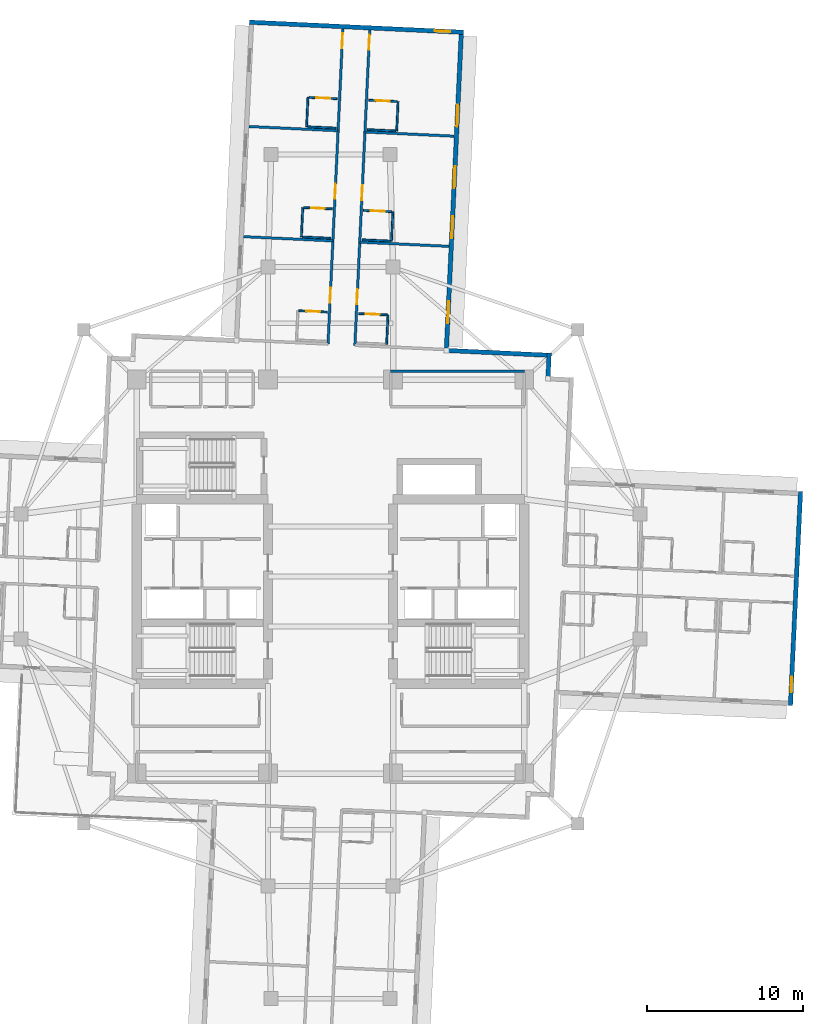
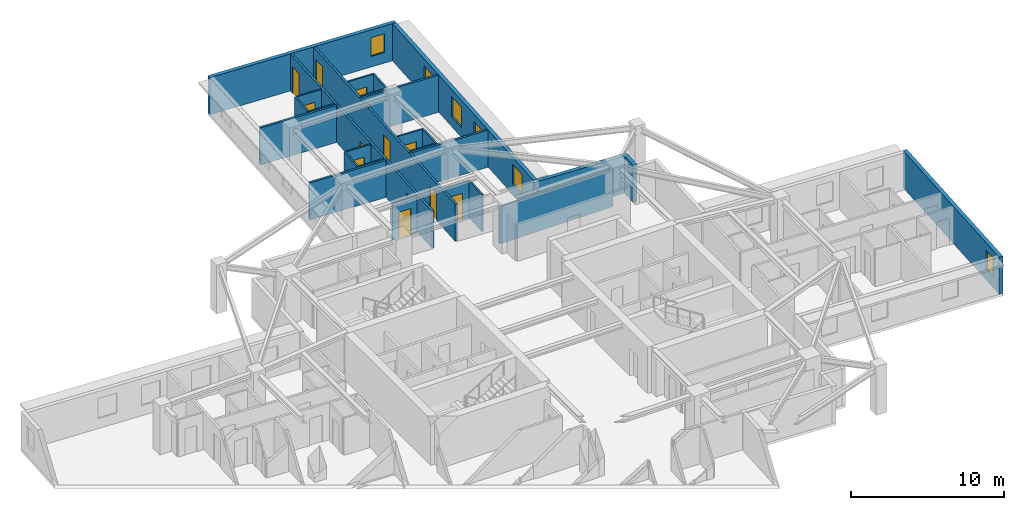
# One storey, part 8 of 14: 27 walls, 12 doors, 6 windows, 18 openings.
"""IFC4 building model written with IfcOpenShell, lengths in metres."""

from ifc_helpers import new_model, si_unit, direction, frame, frame_2d, origin, place, context, subcontext, project, spatial, rectangle, extrude, material, layer, layer_set, type_object, element, fill, save


model = new_model("IFC4")

# Units and contexts
model_context = context("Model", 3, precision=1e-05, world=origin(), true_north=direction((0.0, 1.0)))
body_context = subcontext(model_context, "Body", "Model", "MODEL_VIEW")
ifc_project = project(units=[si_unit("LENGTHUNIT", "METRE"), si_unit("AREAUNIT", "SQUARE_METRE"), si_unit("VOLUMEUNIT", "CUBIC_METRE"), si_unit("PLANEANGLEUNIT", "RADIAN"), si_unit("MASSUNIT", "GRAM", prefix="KILO")], contexts=[model_context])

# Site, building, storey
site_placement = place(None, origin())
site = spatial("IfcSite", under=ifc_project, at=site_placement, CompositionType="ELEMENT")
building_placement = place(site_placement, origin())
building = spatial("IfcBuilding", under=site, at=building_placement, Name="Qingluan Cross Belvedere", CompositionType="ELEMENT")
storey_placement = place(building_placement, frame((0.0, 0.0, 156.60009765625)))
storey = spatial("IfcBuildingStorey", under=building, at=storey_placement, Name="L39", CompositionType="ELEMENT", Elevation=156.60009765625)

# Wall
ifc_material_1 = material(Name="Gypsum plasterboard on steel stud acoustic partition", Category="steel")
ifc_layer_1 = layer(ifc_material_1, 0.159912109375, Name="CorridorPartition_160")
ifc_layer_set_1 = layer_set([ifc_layer_1], Name="Gypsum plasterboard on steel stud acoustic partition")
wall_type_1 = type_object("IfcWallType", Name="CorridorPartition_160", PredefinedType="PARTITIONING", material=ifc_layer_set_1)
wall_1_placement = place(storey_placement, frame((3.85009765625, 13.14990234375, 0.0), z_axis=(0.0, 0.0, 1.0), x_axis=(1.0, 0.0, 0.0)))
element("IfcWall", 1, at=wall_1_placement, inside=storey, type_object=wall_type_1, Name="Partition L39:q_ne:N", PredefinedType="PARTITIONING", context=body_context, shape_type="SweptSolid", body=[
    extrude(rectangle(XDim=8.5498046875, YDim=0.159912109375, at=frame_2d((4.27490234375, 0.0))), origin(), (0.0, 0.0, 1.0), 2.9599609375),
])

# Wall, openings, doors
wall_2_placement = place(storey_placement, frame((1.55859375, 14.79296875, 0.0), z_axis=(0.0, 0.0, 1.0), x_axis=(0.047105352469, 0.998889926753, 0.0)))
wall_2 = element("IfcWall", 2, at=wall_2_placement, inside=storey, type_object=wall_type_1, Name="Partition L39:N:c0", PredefinedType="PARTITIONING", context=body_context, shape_type="SweptSolid", body=[
    extrude(rectangle(XDim=20.18212890625, YDim=0.159912109375, at=frame_2d((10.091064453125, 0.0))), origin(), (0.0, 0.0, 1.0), 2.9599609375),
])
opening_1_placement = place(wall_2_placement, frame((2.64111328125, 0.0, 0.0)))
opening_1 = element("IfcOpeningElement", 3, at=opening_1_placement, cuts=wall_2, Name="Opening GD-10", PredefinedType="OPENING", context=body_context, shape_type="SweptSolid", body=[
    extrude(rectangle(XDim=0.9599609375, YDim=2.14990234375, at=frame_2d((0.47998046875, 1.074951171875))), frame((0.0, 0.08984375, 0.0), z_axis=(0.0, -1.0, 0.0), x_axis=(1.0, 0.0, 0.0)), (0.0, 0.0, 1.0), 0.179931640625),
])
opening_2_placement = place(wall_2_placement, frame((9.29296875, 0.0, 0.0)))
opening_2 = element("IfcOpeningElement", 4, at=opening_2_placement, cuts=wall_2, Name="Opening GD-10", PredefinedType="OPENING", context=body_context, shape_type="SweptSolid", body=[
    extrude(rectangle(XDim=0.9599609375, YDim=2.14990234375, at=frame_2d((0.47998046875, 1.074951171875))), frame((0.0, 0.08984375, 0.0), z_axis=(0.0, -1.0, 0.0), x_axis=(1.0, 0.0, 0.0)), (0.0, 0.0, 1.0), 0.179931640625),
])
opening_3_placement = place(wall_2_placement, frame((18.929931640625, 0.0, 0.0)))
opening_3 = element("IfcOpeningElement", 5, at=opening_3_placement, cuts=wall_2, Name="Opening GD-10", PredefinedType="OPENING", context=body_context, shape_type="SweptSolid", body=[
    extrude(rectangle(XDim=0.9599609375, YDim=2.14990234375, at=frame_2d((0.47998046875, 1.074951171875))), frame((0.0, 0.08984375, 0.0), z_axis=(0.0, -1.0, 0.0), x_axis=(1.0, 0.0, 0.0)), (0.0, 0.0, 1.0), 0.179931640625),
])
ifc_material_2 = material(Name="Timber oak fire-rated acoustic guestroom door", Category="wood")
door_type_1 = type_object("IfcDoorType", Name="GuestEntryDoor_FD60", OperationType="NOTDEFINED", PredefinedType="DOOR", material=ifc_material_2)
door_1_placement = place(opening_1_placement, origin())
door_1 = element("IfcDoor", 6, at=door_1_placement, inside=storey, type_object=door_type_1, Name="Guest entry fire door 3911", OperationType="SINGLE_SWING_RIGHT", OverallHeight=2.14990234375, OverallWidth=0.9599609375, PredefinedType="DOOR", context=body_context, shape_type="SweptSolid", body=[
    extrude(rectangle(XDim=0.9599609375, YDim=2.14990234375, at=frame_2d((0.47998046875, 1.074951171875))), frame((0.0, 0.02490234375, 0.0), z_axis=(0.0, -1.0, 0.0), x_axis=(1.0, 0.0, 0.0)), (0.0, 0.0, 1.0), 0.050048828125),
])
fill(opening_1, door_1)
door_2_placement = place(opening_2_placement, origin())
door_2 = element("IfcDoor", 7, at=door_2_placement, inside=storey, type_object=door_type_1, Name="Guest entry fire door 3912", OperationType="SINGLE_SWING_RIGHT", OverallHeight=2.14990234375, OverallWidth=0.9599609375, PredefinedType="DOOR", context=body_context, shape_type="SweptSolid", body=[
    extrude(rectangle(XDim=0.9599609375, YDim=2.14990234375, at=frame_2d((0.47998046875, 1.074951171875))), frame((0.0, 0.02490234375, 0.0), z_axis=(0.0, -1.0, 0.0), x_axis=(1.0, 0.0, 0.0)), (0.0, 0.0, 1.0), 0.050048828125),
])
fill(opening_2, door_2)
door_3_placement = place(opening_3_placement, origin())
door_3 = element("IfcDoor", 8, at=door_3_placement, inside=storey, type_object=door_type_1, Name="Guest entry fire door 3913", OperationType="SINGLE_SWING_RIGHT", OverallHeight=2.14990234375, OverallWidth=0.9599609375, PredefinedType="DOOR", context=body_context, shape_type="SweptSolid", body=[
    extrude(rectangle(XDim=0.9599609375, YDim=2.14990234375, at=frame_2d((0.47998046875, 1.074951171875))), frame((0.0, 0.02490234375, 0.0), z_axis=(0.0, -1.0, 0.0), x_axis=(1.0, 0.0, 0.0)), (0.0, 0.0, 1.0), 0.050048828125),
])
fill(opening_3, door_3)

# Walls
for number, where, z_axis, x_axis, name in (
    (9, (1.869873046875, 21.392578125, 0.0), (0.0, 0.0, 1.0), (0.998890078534, -0.047102133785, 0.0), "Partition L39:N:d0_0"),
    (10, (2.2021484375, 28.439697265625, 0.0), (0.0, 0.0, 1.0), (0.998892088651, -0.047059486076, 0.0), "Partition L39:N:d0_1"),
):
    element("IfcWall", number, at=place(storey_placement, frame(where, z_axis=z_axis, x_axis=x_axis)), inside=storey, type_object=wall_type_1, Name=name, PredefinedType="PARTITIONING", context=body_context, shape_type="SweptSolid", body=[
        extrude(rectangle(XDim=5.7119140625, YDim=0.159912109375, at=frame_2d((2.85595703125, 0.0))), origin(), (0.0, 0.0, 1.0), 2.9599609375),
    ])

# Wall, openings, doors
wall_3_placement = place(storey_placement, frame((-0.159423828125, 14.8740234375, 0.0), z_axis=(0.0, 0.0, 1.0), x_axis=(0.047105352469, 0.998889926753, 0.0)))
wall_3 = element("IfcWall", 11, at=wall_3_placement, inside=storey, type_object=wall_type_1, Name="Partition L39:N:c1", PredefinedType="PARTITIONING", context=body_context, shape_type="SweptSolid", body=[
    extrude(rectangle(XDim=20.18212890625, YDim=0.159912109375, at=frame_2d((10.091064453125, 0.0))), origin(), (0.0, 0.0, 1.0), 2.9599609375),
])
opening_4_placement = place(wall_3_placement, frame((2.64111328125, 0.0, 0.0)))
opening_4 = element("IfcOpeningElement", 12, at=opening_4_placement, cuts=wall_3, Name="Opening GD-10", PredefinedType="OPENING", context=body_context, shape_type="SweptSolid", body=[
    extrude(rectangle(XDim=0.9599609375, YDim=2.14990234375, at=frame_2d((0.47998046875, 1.074951171875))), frame((0.0, 0.08984375, 0.0), z_axis=(0.0, -1.0, 0.0), x_axis=(1.0, 0.0, 0.0)), (0.0, 0.0, 1.0), 0.179931640625),
])
opening_5_placement = place(wall_3_placement, frame((9.29296875, 0.0, 0.0)))
opening_5 = element("IfcOpeningElement", 13, at=opening_5_placement, cuts=wall_3, Name="Opening GD-10", PredefinedType="OPENING", context=body_context, shape_type="SweptSolid", body=[
    extrude(rectangle(XDim=0.9599609375, YDim=2.14990234375, at=frame_2d((0.47998046875, 1.074951171875))), frame((0.0, 0.08984375, 0.0), z_axis=(0.0, -1.0, 0.0), x_axis=(1.0, 0.0, 0.0)), (0.0, 0.0, 1.0), 0.179931640625),
])
opening_6_placement = place(wall_3_placement, frame((18.929931640625, 0.0, 0.0)))
opening_6 = element("IfcOpeningElement", 14, at=opening_6_placement, cuts=wall_3, Name="Opening GD-10", PredefinedType="OPENING", context=body_context, shape_type="SweptSolid", body=[
    extrude(rectangle(XDim=0.9599609375, YDim=2.14990234375, at=frame_2d((0.47998046875, 1.074951171875))), frame((0.0, 0.08984375, 0.0), z_axis=(0.0, -1.0, 0.0), x_axis=(1.0, 0.0, 0.0)), (0.0, 0.0, 1.0), 0.179931640625),
])
door_4_placement = place(opening_4_placement, origin())
door_4 = element("IfcDoor", 15, at=door_4_placement, inside=storey, type_object=door_type_1, Name="Guest entry fire door 3914", OperationType="SINGLE_SWING_RIGHT", OverallHeight=2.14990234375, OverallWidth=0.9599609375, PredefinedType="DOOR", context=body_context, shape_type="SweptSolid", body=[
    extrude(rectangle(XDim=0.9599609375, YDim=2.14990234375, at=frame_2d((0.47998046875, 1.074951171875))), frame((0.0, 0.02490234375, 0.0), z_axis=(0.0, -1.0, 0.0), x_axis=(1.0, 0.0, 0.0)), (0.0, 0.0, 1.0), 0.050048828125),
])
fill(opening_4, door_4)
door_5_placement = place(opening_5_placement, origin())
door_5 = element("IfcDoor", 16, at=door_5_placement, inside=storey, type_object=door_type_1, Name="Guest entry fire door 3915", OperationType="SINGLE_SWING_RIGHT", OverallHeight=2.14990234375, OverallWidth=0.9599609375, PredefinedType="DOOR", context=body_context, shape_type="SweptSolid", body=[
    extrude(rectangle(XDim=0.9599609375, YDim=2.14990234375, at=frame_2d((0.47998046875, 1.074951171875))), frame((0.0, 0.02490234375, 0.0), z_axis=(0.0, -1.0, 0.0), x_axis=(1.0, 0.0, 0.0)), (0.0, 0.0, 1.0), 0.050048828125),
])
fill(opening_5, door_5)
door_6_placement = place(opening_6_placement, origin())
door_6 = element("IfcDoor", 17, at=door_6_placement, inside=storey, type_object=door_type_1, Name="Guest entry fire door 3916", OperationType="SINGLE_SWING_RIGHT", OverallHeight=2.14990234375, OverallWidth=0.9599609375, PredefinedType="DOOR", context=body_context, shape_type="SweptSolid", body=[
    extrude(rectangle(XDim=0.9599609375, YDim=2.14990234375, at=frame_2d((0.47998046875, 1.074951171875))), frame((0.0, 0.02490234375, 0.0), z_axis=(0.0, -1.0, 0.0), x_axis=(1.0, 0.0, 0.0)), (0.0, 0.0, 1.0), 0.050048828125),
])
fill(opening_6, door_6)

# Walls
wall_4_placement = place(storey_placement, frame((0.151611328125, 21.4736328125, 0.0), z_axis=(0.0, 0.0, 1.0), x_axis=(-0.998890078534, 0.047102133785, 0.0)))
element("IfcWall", 18, at=wall_4_placement, inside=storey, type_object=wall_type_1, Name="Partition L39:N:d1_0", PredefinedType="PARTITIONING", context=body_context, shape_type="SweptSolid", body=[
    extrude(rectangle(XDim=5.7119140625, YDim=0.159912109375, at=frame_2d((2.85595703125, 0.0))), origin(), (0.0, 0.0, 1.0), 2.9599609375),
])
wall_5_placement = place(storey_placement, frame((0.484130859375, 28.52099609375, 0.0), z_axis=(0.0, 0.0, 1.0), x_axis=(-0.998892183303, 0.047057476951, 0.0)))
element("IfcWall", 19, at=wall_5_placement, inside=storey, type_object=wall_type_1, Name="Partition L39:N:d1_1", PredefinedType="PARTITIONING", context=body_context, shape_type="SweptSolid", body=[
    extrude(rectangle(XDim=5.712158203125, YDim=0.159912109375, at=frame_2d((2.85595703125, 0.0))), origin(), (0.0, 0.0, 1.0), 2.9599609375),
])

# Wall, opening, door
ifc_material_3 = material(Name="Moisture-resistant gypsum board lining")
ifc_layer_2 = layer(ifc_material_3, 0.1201171875, Name="EnsuiteWetPartition_120")
ifc_layer_set_2 = layer_set([ifc_layer_2], Name="Moisture-resistant gypsum board lining")
wall_type_2 = type_object("IfcWallType", Name="EnsuiteWetPartition_120", PredefinedType="PARTITIONING", material=ifc_layer_set_2)
wall_6_placement = place(storey_placement, frame((1.79443359375, 16.82421875, 0.0), z_axis=(0.0, 0.0, 1.0), x_axis=(0.998884766924, -0.047214641863, 0.0)))
wall_6 = element("IfcWall", 20, at=wall_6_placement, inside=storey, type_object=wall_type_2, Name="Partition L39:N:bs0_0", PredefinedType="PARTITIONING", context=body_context, shape_type="SweptSolid", body=[
    extrude(rectangle(XDim=1.820068359375, YDim=0.1201171875, at=frame_2d((0.91015625, 0.0))), origin(), (0.0, 0.0, 1.0), 2.9599609375),
])
opening_7_placement = place(wall_6_placement, frame((0.469970703125, 0.0, 0.0)))
opening_7 = element("IfcOpeningElement", 21, at=opening_7_placement, cuts=wall_6, Name="Opening BD-09", PredefinedType="OPENING", context=body_context, shape_type="SweptSolid", body=[
    extrude(rectangle(XDim=0.8798828125, YDim=2.10009765625, at=frame_2d((0.43994140625, 1.050048828125))), frame((0.0, 0.070068359375, 0.0), z_axis=(0.0, -1.0, 0.0), x_axis=(1.0, 0.0, 0.0)), (0.0, 0.0, 1.0), 0.14013671875),
])
ifc_material_4 = material(Name="Moisture-sealed timber en-suite door", Category="wood")
door_type_2 = type_object("IfcDoorType", Name="BathroomDoor_880", OperationType="NOTDEFINED", PredefinedType="DOOR", material=ifc_material_4)
door_7_placement = place(opening_7_placement, origin())
door_7 = element("IfcDoor", 22, at=door_7_placement, inside=storey, type_object=door_type_2, Name="Bathroom door 3911", OperationType="SINGLE_SWING_LEFT", OverallHeight=2.10009765625, OverallWidth=0.8798828125, PredefinedType="DOOR", context=body_context, shape_type="SweptSolid", body=[
    extrude(rectangle(XDim=0.8798828125, YDim=2.10009765625, at=frame_2d((0.43994140625, 1.050048828125))), frame((0.0, 0.02490234375, 0.0), z_axis=(0.0, -1.0, 0.0), x_axis=(1.0, 0.0, 0.0)), (0.0, 0.0, 1.0), 0.050048828125),
])
fill(opening_7, door_7)

# Wall
wall_7_placement = place(storey_placement, frame((3.5888671875, 14.857421875, 0.0), z_axis=(0.0, 0.0, 1.0), x_axis=(0.047139425368, 0.998888319371, 0.0)))
element("IfcWall", 23, at=wall_7_placement, inside=storey, type_object=wall_type_2, Name="Partition L39:N:bn0_0", PredefinedType="PARTITIONING", context=body_context, shape_type="SweptSolid", body=[
    extrude(rectangle(XDim=1.880126953125, YDim=0.1201171875, at=frame_2d((0.93994140625, 0.0))), origin(), (0.0, 0.0, 1.0), 2.9599609375),
])

# Wall, opening, door
wall_8_placement = place(storey_placement, frame((2.105712890625, 23.423828125, 0.0), z_axis=(0.0, 0.0, 1.0), x_axis=(0.998890786574, -0.047087116047, 0.0)))
wall_8 = element("IfcWall", 24, at=wall_8_placement, inside=storey, type_object=wall_type_2, Name="Partition L39:N:bs0_1", PredefinedType="PARTITIONING", context=body_context, shape_type="SweptSolid", body=[
    extrude(rectangle(XDim=1.81982421875, YDim=0.1201171875, at=frame_2d((0.909912109375, 0.0))), origin(), (0.0, 0.0, 1.0), 2.9599609375),
])
opening_8_placement = place(wall_8_placement, frame((0.469970703125, 0.0, 0.0)))
opening_8 = element("IfcOpeningElement", 25, at=opening_8_placement, cuts=wall_8, Name="Opening BD-09", PredefinedType="OPENING", context=body_context, shape_type="SweptSolid", body=[
    extrude(rectangle(XDim=0.8798828125, YDim=2.10009765625, at=frame_2d((0.43994140625, 1.050048828125))), frame((0.0, 0.070068359375, 0.0), z_axis=(0.0, -1.0, 0.0), x_axis=(1.0, 0.0, 0.0)), (0.0, 0.0, 1.0), 0.14013671875),
])
door_8_placement = place(opening_8_placement, origin())
door_8 = element("IfcDoor", 26, at=door_8_placement, inside=storey, type_object=door_type_2, Name="Bathroom door 3912", OperationType="SINGLE_SWING_LEFT", OverallHeight=2.10009765625, OverallWidth=0.8798828125, PredefinedType="DOOR", context=body_context, shape_type="SweptSolid", body=[
    extrude(rectangle(XDim=0.8798828125, YDim=2.10009765625, at=frame_2d((0.43994140625, 1.050048828125))), frame((0.0, 0.02490234375, 0.0), z_axis=(0.0, -1.0, 0.0), x_axis=(1.0, 0.0, 0.0)), (0.0, 0.0, 1.0), 0.050048828125),
])
fill(opening_8, door_8)

# Walls
wall_9_placement = place(storey_placement, frame((2.01708984375, 21.5458984375, 0.0), z_axis=(0.0, 0.0, 1.0), x_axis=(0.998891083954, -0.047080807099, 0.0)))
element("IfcWall", 27, at=wall_9_placement, inside=storey, type_object=wall_type_2, Name="Partition L39:N:bw0_1", PredefinedType="PARTITIONING", context=body_context, shape_type="SweptSolid", body=[
    extrude(rectangle(XDim=1.820068359375, YDim=0.1201171875, at=frame_2d((0.91015625, 0.0))), origin(), (0.0, 0.0, 1.0), 2.9599609375),
])
wall_10_placement = place(storey_placement, frame((3.900146484375, 21.45703125, 0.0), z_axis=(0.0, 0.0, 1.0), x_axis=(0.047139425368, 0.998888319371, 0.0)))
element("IfcWall", 28, at=wall_10_placement, inside=storey, type_object=wall_type_2, Name="Partition L39:N:bn0_1", PredefinedType="PARTITIONING", context=body_context, shape_type="SweptSolid", body=[
    extrude(rectangle(XDim=1.880126953125, YDim=0.1201171875, at=frame_2d((0.93994140625, 0.0))), origin(), (0.0, 0.0, 1.0), 2.9599609375),
])

# Wall, opening, door
wall_11_placement = place(storey_placement, frame((2.43798828125, 30.470947265625, 0.0), z_axis=(0.0, 0.0, 1.0), x_axis=(0.998891083954, -0.047080807099, 0.0)))
wall_11 = element("IfcWall", 29, at=wall_11_placement, inside=storey, type_object=wall_type_2, Name="Partition L39:N:bs0_2", PredefinedType="PARTITIONING", context=body_context, shape_type="SweptSolid", body=[
    extrude(rectangle(XDim=1.820068359375, YDim=0.1201171875, at=frame_2d((0.91015625, 0.0))), origin(), (0.0, 0.0, 1.0), 2.9599609375),
])
opening_9_placement = place(wall_11_placement, frame((0.469970703125, 0.0, 0.0)))
opening_9 = element("IfcOpeningElement", 30, at=opening_9_placement, cuts=wall_11, Name="Opening BD-09", PredefinedType="OPENING", context=body_context, shape_type="SweptSolid", body=[
    extrude(rectangle(XDim=0.8798828125, YDim=2.10009765625, at=frame_2d((0.43994140625, 1.050048828125))), frame((0.0, 0.070068359375, 0.0), z_axis=(0.0, -1.0, 0.0), x_axis=(1.0, 0.0, 0.0)), (0.0, 0.0, 1.0), 0.14013671875),
])
door_9_placement = place(opening_9_placement, origin())
door_9 = element("IfcDoor", 31, at=door_9_placement, inside=storey, type_object=door_type_2, Name="Bathroom door 3913", OperationType="SINGLE_SWING_LEFT", OverallHeight=2.10009765625, OverallWidth=0.8798828125, PredefinedType="DOOR", context=body_context, shape_type="SweptSolid", body=[
    extrude(rectangle(XDim=0.8798828125, YDim=2.10009765625, at=frame_2d((0.43994140625, 1.050048828125))), frame((0.0, 0.02490234375, 0.0), z_axis=(0.0, -1.0, 0.0), x_axis=(1.0, 0.0, 0.0)), (0.0, 0.0, 1.0), 0.050048828125),
])
fill(opening_9, door_9)

# Walls
wall_12_placement = place(storey_placement, frame((2.349609375, 28.593017578125, 0.0), z_axis=(0.0, 0.0, 1.0), x_axis=(0.998890786574, -0.047087116047, 0.0)))
element("IfcWall", 32, at=wall_12_placement, inside=storey, type_object=wall_type_2, Name="Partition L39:N:bw0_2", PredefinedType="PARTITIONING", context=body_context, shape_type="SweptSolid", body=[
    extrude(rectangle(XDim=1.81982421875, YDim=0.1201171875, at=frame_2d((0.909912109375, 0.0))), origin(), (0.0, 0.0, 1.0), 2.9599609375),
])
wall_13_placement = place(storey_placement, frame((4.232421875, 28.50439453125, 0.0), z_axis=(0.0, 0.0, 1.0), x_axis=(0.047145540913, 0.998888030748, 0.0)))
element("IfcWall", 33, at=wall_13_placement, inside=storey, type_object=wall_type_2, Name="Partition L39:N:bn0_2", PredefinedType="PARTITIONING", context=body_context, shape_type="SweptSolid", body=[
    extrude(rectangle(XDim=1.8798828125, YDim=0.1201171875, at=frame_2d((0.93994140625, 0.0))), origin(), (0.0, 0.0, 1.0), 2.9599609375),
])

# Wall, opening, door
wall_14_placement = place(storey_placement, frame((-2.021240234375, 17.004150390625, 0.0), z_axis=(0.0, 0.0, 1.0), x_axis=(0.998890786574, -0.047087116047, 0.0)))
wall_14 = element("IfcWall", 34, at=wall_14_placement, inside=storey, type_object=wall_type_2, Name="Partition L39:N:bs1_0", PredefinedType="PARTITIONING", context=body_context, shape_type="SweptSolid", body=[
    extrude(rectangle(XDim=1.81982421875, YDim=0.1201171875, at=frame_2d((0.909912109375, 0.0))), origin(), (0.0, 0.0, 1.0), 2.9599609375),
])
opening_10_placement = place(wall_14_placement, frame((0.469970703125, 0.0, 0.0)))
opening_10 = element("IfcOpeningElement", 35, at=opening_10_placement, cuts=wall_14, Name="Opening BD-09", PredefinedType="OPENING", context=body_context, shape_type="SweptSolid", body=[
    extrude(rectangle(XDim=0.8798828125, YDim=2.10009765625, at=frame_2d((0.43994140625, 1.050048828125))), frame((0.0, 0.070068359375, 0.0), z_axis=(0.0, -1.0, 0.0), x_axis=(1.0, 0.0, 0.0)), (0.0, 0.0, 1.0), 0.14013671875),
])
door_10_placement = place(opening_10_placement, origin())
door_10 = element("IfcDoor", 36, at=door_10_placement, inside=storey, type_object=door_type_2, Name="Bathroom door 3914", OperationType="SINGLE_SWING_LEFT", OverallHeight=2.10009765625, OverallWidth=0.8798828125, PredefinedType="DOOR", context=body_context, shape_type="SweptSolid", body=[
    extrude(rectangle(XDim=0.8798828125, YDim=2.10009765625, at=frame_2d((0.43994140625, 1.050048828125))), frame((0.0, 0.02490234375, 0.0), z_axis=(0.0, -1.0, 0.0), x_axis=(1.0, 0.0, 0.0)), (0.0, 0.0, 1.0), 0.050048828125),
])
fill(opening_10, door_10)

wall_15_placement = place(storey_placement, frame((-1.7099609375, 23.603759765625, 0.0), z_axis=(0.0, 0.0, 1.0), x_axis=(0.998890786574, -0.047087116047, 0.0)))
wall_15 = element("IfcWall", 37, at=wall_15_placement, inside=storey, type_object=wall_type_2, Name="Partition L39:N:bs1_1", PredefinedType="PARTITIONING", context=body_context, shape_type="SweptSolid", body=[
    extrude(rectangle(XDim=1.81982421875, YDim=0.1201171875, at=frame_2d((0.909912109375, 0.0))), origin(), (0.0, 0.0, 1.0), 2.9599609375),
])
opening_11_placement = place(wall_15_placement, frame((0.469970703125, 0.0, 0.0)))
opening_11 = element("IfcOpeningElement", 38, at=opening_11_placement, cuts=wall_15, Name="Opening BD-09", PredefinedType="OPENING", context=body_context, shape_type="SweptSolid", body=[
    extrude(rectangle(XDim=0.8798828125, YDim=2.10009765625, at=frame_2d((0.43994140625, 1.050048828125))), frame((0.0, 0.070068359375, 0.0), z_axis=(0.0, -1.0, 0.0), x_axis=(1.0, 0.0, 0.0)), (0.0, 0.0, 1.0), 0.14013671875),
])
door_11_placement = place(opening_11_placement, origin())
door_11 = element("IfcDoor", 39, at=door_11_placement, inside=storey, type_object=door_type_2, Name="Bathroom door 3915", OperationType="SINGLE_SWING_LEFT", OverallHeight=2.10009765625, OverallWidth=0.8798828125, PredefinedType="DOOR", context=body_context, shape_type="SweptSolid", body=[
    extrude(rectangle(XDim=0.8798828125, YDim=2.10009765625, at=frame_2d((0.43994140625, 1.050048828125))), frame((0.0, 0.02490234375, 0.0), z_axis=(0.0, -1.0, 0.0), x_axis=(1.0, 0.0, 0.0)), (0.0, 0.0, 1.0), 0.050048828125),
])
fill(opening_11, door_11)

# Walls
wall_16_placement = place(storey_placement, frame((-1.798583984375, 21.725830078125, 0.0), z_axis=(0.0, 0.0, 1.0), x_axis=(0.998890786574, -0.047087116047, 0.0)))
element("IfcWall", 40, at=wall_16_placement, inside=storey, type_object=wall_type_2, Name="Partition L39:N:bw1_1", PredefinedType="PARTITIONING", context=body_context, shape_type="SweptSolid", body=[
    extrude(rectangle(XDim=1.81982421875, YDim=0.1201171875, at=frame_2d((0.909912109375, 0.0))), origin(), (0.0, 0.0, 1.0), 2.9599609375),
])
wall_17_placement = place(storey_placement, frame((-1.863525390625, 21.72900390625, 0.0), z_axis=(0.0, 0.0, 1.0), x_axis=(0.047145540913, 0.998888030748, 0.0)))
element("IfcWall", 41, at=wall_17_placement, inside=storey, type_object=wall_type_2, Name="Partition L39:N:bc1_1", PredefinedType="PARTITIONING", context=body_context, shape_type="SweptSolid", body=[
    extrude(rectangle(XDim=1.8798828125, YDim=0.1201171875, at=frame_2d((0.93994140625, 0.0))), origin(), (0.0, 0.0, 1.0), 2.9599609375),
])

# Wall, opening, door
wall_18_placement = place(storey_placement, frame((-1.377685546875, 30.65087890625, 0.0), z_axis=(0.0, 0.0, 1.0), x_axis=(0.998890786574, -0.047087116047, 0.0)))
wall_18 = element("IfcWall", 42, at=wall_18_placement, inside=storey, type_object=wall_type_2, Name="Partition L39:N:bs1_2", PredefinedType="PARTITIONING", context=body_context, shape_type="SweptSolid", body=[
    extrude(rectangle(XDim=1.81982421875, YDim=0.1201171875, at=frame_2d((0.909912109375, 0.0))), origin(), (0.0, 0.0, 1.0), 2.9599609375),
])
opening_12_placement = place(wall_18_placement, frame((0.469970703125, 0.0, 0.0)))
opening_12 = element("IfcOpeningElement", 43, at=opening_12_placement, cuts=wall_18, Name="Opening BD-09", PredefinedType="OPENING", context=body_context, shape_type="SweptSolid", body=[
    extrude(rectangle(XDim=0.8798828125, YDim=2.10009765625, at=frame_2d((0.43994140625, 1.050048828125))), frame((0.0, 0.070068359375, 0.0), z_axis=(0.0, -1.0, 0.0), x_axis=(1.0, 0.0, 0.0)), (0.0, 0.0, 1.0), 0.14013671875),
])
door_12_placement = place(opening_12_placement, origin())
door_12 = element("IfcDoor", 44, at=door_12_placement, inside=storey, type_object=door_type_2, Name="Bathroom door 3916", OperationType="SINGLE_SWING_LEFT", OverallHeight=2.10009765625, OverallWidth=0.8798828125, PredefinedType="DOOR", context=body_context, shape_type="SweptSolid", body=[
    extrude(rectangle(XDim=0.8798828125, YDim=2.10009765625, at=frame_2d((0.43994140625, 1.050048828125))), frame((0.0, 0.02490234375, 0.0), z_axis=(0.0, -1.0, 0.0), x_axis=(1.0, 0.0, 0.0)), (0.0, 0.0, 1.0), 0.050048828125),
])
fill(opening_12, door_12)

# Walls
wall_19_placement = place(storey_placement, frame((-1.46630859375, 28.77294921875, 0.0), z_axis=(0.0, 0.0, 1.0), x_axis=(0.998891083954, -0.047080807099, 0.0)))
element("IfcWall", 45, at=wall_19_placement, inside=storey, type_object=wall_type_2, Name="Partition L39:N:bw1_2", PredefinedType="PARTITIONING", context=body_context, shape_type="SweptSolid", body=[
    extrude(rectangle(XDim=1.820068359375, YDim=0.1201171875, at=frame_2d((0.91015625, 0.0))), origin(), (0.0, 0.0, 1.0), 2.9599609375),
])
wall_20_placement = place(storey_placement, frame((-1.53125, 28.776123046875, 0.0), z_axis=(0.0, 0.0, 1.0), x_axis=(0.047139425368, 0.998888319371, 0.0)))
element("IfcWall", 46, at=wall_20_placement, inside=storey, type_object=wall_type_2, Name="Partition L39:N:bc1_2", PredefinedType="PARTITIONING", context=body_context, shape_type="SweptSolid", body=[
    extrude(rectangle(XDim=1.880126953125, YDim=0.1201171875, at=frame_2d((0.93994140625, 0.0))), origin(), (0.0, 0.0, 1.0), 2.9599609375),
])

# Wall, opening, window
ifc_material_5 = material(Name="Precast concrete C45", Category="concrete")
ifc_layer_3 = layer(ifc_material_5, 0.280029296875, Name="PrecastFacadeWall_280")
ifc_layer_set_3 = layer_set([ifc_layer_3], Name="Precast concrete C45")
wall_type_3 = type_object("IfcWallType", Name="PrecastFacadeWall_280", PredefinedType="STANDARD", material=ifc_layer_set_3)
wall_21_placement = place(storey_placement, frame((29.423828125, -8.255126953125, 0.0), z_axis=(0.0, 0.0, 1.0), x_axis=(0.047101845086, 0.998890092147, 0.0)))
wall_21 = element("IfcWall", 47, at=wall_21_placement, inside=storey, type_object=wall_type_3, Name="Arm tip precast facade wall L39-E", PredefinedType="STANDARD", context=body_context, shape_type="SweptSolid", body=[
    extrude(rectangle(XDim=13.719970703125, YDim=0.280029296875, at=frame_2d((6.85986328125, 0.0))), origin(), (0.0, 0.0, 1.0), 2.969970703125),
])
opening_13_placement = place(wall_21_placement, frame((0.85009765625, 0.0, 0.85009765625)))
opening_13 = element("IfcOpeningElement", 48, at=opening_13_placement, cuts=wall_21, Name="Opening W-03", PredefinedType="OPENING", context=body_context, shape_type="SweptSolid", body=[
    extrude(rectangle(XDim=1.0, YDim=1.5, at=frame_2d((0.5, 0.75))), frame((0.0, 0.14990234375, 0.0), z_axis=(0.0, -1.0, 0.0), x_axis=(1.0, 0.0, 0.0)), (0.0, 0.0, 1.0), 0.300048828125),
])
ifc_material_6 = material(Name="Thermally broken triple Low-E glass in aluminium frame", Category="aluminium")
window_type_1 = type_object("IfcWindowType", Name="TriApexWin_1000x1500", PartitioningType="SINGLE_PANEL", PredefinedType="WINDOW", material=ifc_material_6)
window_1_placement = place(opening_13_placement, origin())
window_1 = element("IfcWindow", 49, at=window_1_placement, inside=storey, type_object=window_type_1, Name="Arm tip triangular window L39-E", OverallHeight=1.5, OverallWidth=1.0, PartitioningType="SINGLE_PANEL", PredefinedType="WINDOW", context=body_context, shape_type="SweptSolid", body=[
    extrude(rectangle(XDim=1.0, YDim=1.5, at=frame_2d((0.5, 0.75))), frame((0.0, 0.030029296875, 0.0), z_axis=(0.0, -1.0, 0.0), x_axis=(1.0, 0.0, 0.0)), (0.0, 0.0, 1.0), 0.06005859375),
])
fill(opening_13, window_1)

# Wall, openings, windows
wall_22_placement = place(storey_placement, frame((7.416259765625, 14.60693359375, 0.0), z_axis=(0.0, 0.0, 1.0), x_axis=(0.047103473814, 0.998890015344, 0.0)))
wall_22 = element("IfcWall", 50, at=wall_22_placement, inside=storey, type_object=wall_type_3, Name="Facade wall L39-NA", PredefinedType="STANDARD", context=body_context, shape_type="SweptSolid", body=[
    extrude(rectangle(XDim=20.099853515625, YDim=0.280029296875, at=frame_2d((10.0498046875, 0.0))), origin(), (0.0, 0.0, 1.0), 2.969970703125),
])
opening_14_placement = place(wall_22_placement, frame((1.60009765625, 0.0, 0.800048828125)))
opening_14 = element("IfcOpeningElement", 51, at=opening_14_placement, cuts=wall_22, Name="Opening W-01", PredefinedType="OPENING", context=body_context, shape_type="SweptSolid", body=[
    extrude(rectangle(XDim=1.39990234375, YDim=1.60009765625, at=frame_2d((0.699951171875, 0.800048828125))), frame((0.0, 0.14990234375, 0.0), z_axis=(0.0, -1.0, 0.0), x_axis=(1.0, 0.0, 0.0)), (0.0, 0.0, 1.0), 0.300048828125),
])
opening_15_placement = place(wall_22_placement, frame((7.050048828125, 0.0, 0.800048828125)))
opening_15 = element("IfcOpeningElement", 52, at=opening_15_placement, cuts=wall_22, Name="Opening W-01", PredefinedType="OPENING", context=body_context, shape_type="SweptSolid", body=[
    extrude(rectangle(XDim=1.39990234375, YDim=1.60009765625, at=frame_2d((0.699951171875, 0.800048828125))), frame((0.0, 0.14990234375, 0.0), z_axis=(0.0, -1.0, 0.0), x_axis=(1.0, 0.0, 0.0)), (0.0, 0.0, 1.0), 0.300048828125),
])
opening_16_placement = place(wall_22_placement, frame((10.25, 0.0, 0.800048828125)))
opening_16 = element("IfcOpeningElement", 53, at=opening_16_placement, cuts=wall_22, Name="Opening W-01", PredefinedType="OPENING", context=body_context, shape_type="SweptSolid", body=[
    extrude(rectangle(XDim=1.39990234375, YDim=1.60009765625, at=frame_2d((0.699951171875, 0.800048828125))), frame((0.0, 0.14990234375, 0.0), z_axis=(0.0, -1.0, 0.0), x_axis=(1.0, 0.0, 0.0)), (0.0, 0.0, 1.0), 0.300048828125),
])
opening_17_placement = place(wall_22_placement, frame((14.199951171875, 0.0, 0.800048828125)))
opening_17 = element("IfcOpeningElement", 54, at=opening_17_placement, cuts=wall_22, Name="Opening W-01", PredefinedType="OPENING", context=body_context, shape_type="SweptSolid", body=[
    extrude(rectangle(XDim=1.39990234375, YDim=1.60009765625, at=frame_2d((0.699951171875, 0.800048828125))), frame((0.0, 0.14990234375, 0.0), z_axis=(0.0, -1.0, 0.0), x_axis=(1.0, 0.0, 0.0)), (0.0, 0.0, 1.0), 0.300048828125),
])
ifc_material_7 = material(Name="Thermally broken triple Low-E glass in aluminium frame", Category="aluminium")
window_type_2 = type_object("IfcWindowType", Name="TriRibbonWin_1400x1600", PartitioningType="SINGLE_PANEL", PredefinedType="WINDOW", material=ifc_material_7)
window_2_placement = place(opening_14_placement, origin())
window_2 = element("IfcWindow", 55, at=window_2_placement, inside=storey, type_object=window_type_2, Name="Ribbon window L39-NA-1", OverallHeight=1.60009765625, OverallWidth=1.39990234375, PartitioningType="SINGLE_PANEL", PredefinedType="WINDOW", context=body_context, shape_type="SweptSolid", body=[
    extrude(rectangle(XDim=1.39990234375, YDim=1.60009765625, at=frame_2d((0.699951171875, 0.800048828125))), frame((0.0, 0.030029296875, 0.0), z_axis=(0.0, -1.0, 0.0), x_axis=(1.0, 0.0, 0.0)), (0.0, 0.0, 1.0), 0.06005859375),
])
fill(opening_14, window_2)
window_3_placement = place(opening_15_placement, origin())
window_3 = element("IfcWindow", 56, at=window_3_placement, inside=storey, type_object=window_type_2, Name="Ribbon window L39-NA-2", OverallHeight=1.60009765625, OverallWidth=1.39990234375, PartitioningType="SINGLE_PANEL", PredefinedType="WINDOW", context=body_context, shape_type="SweptSolid", body=[
    extrude(rectangle(XDim=1.39990234375, YDim=1.60009765625, at=frame_2d((0.699951171875, 0.800048828125))), frame((0.0, 0.030029296875, 0.0), z_axis=(0.0, -1.0, 0.0), x_axis=(1.0, 0.0, 0.0)), (0.0, 0.0, 1.0), 0.06005859375),
])
fill(opening_15, window_3)
window_4_placement = place(opening_16_placement, origin())
window_4 = element("IfcWindow", 57, at=window_4_placement, inside=storey, type_object=window_type_2, Name="Ribbon window L39-NA-3", OverallHeight=1.60009765625, OverallWidth=1.39990234375, PartitioningType="SINGLE_PANEL", PredefinedType="WINDOW", context=body_context, shape_type="SweptSolid", body=[
    extrude(rectangle(XDim=1.39990234375, YDim=1.60009765625, at=frame_2d((0.699951171875, 0.800048828125))), frame((0.0, 0.030029296875, 0.0), z_axis=(0.0, -1.0, 0.0), x_axis=(1.0, 0.0, 0.0)), (0.0, 0.0, 1.0), 0.06005859375),
])
fill(opening_16, window_4)
window_5_placement = place(opening_17_placement, origin())
window_5 = element("IfcWindow", 58, at=window_5_placement, inside=storey, type_object=window_type_2, Name="Ribbon window L39-NA-4", OverallHeight=1.60009765625, OverallWidth=1.39990234375, PartitioningType="SINGLE_PANEL", PredefinedType="WINDOW", context=body_context, shape_type="SweptSolid", body=[
    extrude(rectangle(XDim=1.39990234375, YDim=1.60009765625, at=frame_2d((0.699951171875, 0.800048828125))), frame((0.0, 0.030029296875, 0.0), z_axis=(0.0, -1.0, 0.0), x_axis=(1.0, 0.0, 0.0)), (0.0, 0.0, 1.0), 0.06005859375),
])
fill(opening_17, window_5)

# Wall, opening, window
wall_23_placement = place(storey_placement, frame((8.509521484375, 34.81787109375, 0.0), z_axis=(0.0, 0.0, 1.0), x_axis=(-0.998890092147, 0.047101845086, 0.0)))
wall_23 = element("IfcWall", 59, at=wall_23_placement, inside=storey, type_object=wall_type_3, Name="Arm tip precast facade wall L39-N", PredefinedType="STANDARD", context=body_context, shape_type="SweptSolid", body=[
    extrude(rectangle(XDim=13.719970703125, YDim=0.280029296875, at=frame_2d((6.85986328125, 0.0))), origin(), (0.0, 0.0, 1.0), 2.969970703125),
])
opening_18_placement = place(wall_23_placement, frame((0.85009765625, 0.0, 0.85009765625)))
opening_18 = element("IfcOpeningElement", 60, at=opening_18_placement, cuts=wall_23, Name="Opening W-03", PredefinedType="OPENING", context=body_context, shape_type="SweptSolid", body=[
    extrude(rectangle(XDim=1.0, YDim=1.5, at=frame_2d((0.5, 0.75))), frame((0.0, 0.14990234375, 0.0), z_axis=(0.0, -1.0, 0.0), x_axis=(1.0, 0.0, 0.0)), (0.0, 0.0, 1.0), 0.300048828125),
])
window_6_placement = place(opening_18_placement, origin())
window_6 = element("IfcWindow", 61, at=window_6_placement, inside=storey, type_object=window_type_1, Name="Arm tip triangular window L39-N", OverallHeight=1.5, OverallWidth=1.0, PartitioningType="SINGLE_PANEL", PredefinedType="WINDOW", context=body_context, shape_type="SweptSolid", body=[
    extrude(rectangle(XDim=1.0, YDim=1.5, at=frame_2d((0.5, 0.75))), frame((0.0, 0.030029296875, 0.0), z_axis=(0.0, -1.0, 0.0), x_axis=(1.0, 0.0, 0.0)), (0.0, 0.0, 1.0), 0.06005859375),
])
fill(opening_18, window_6)

# Walls
wall_24_placement = place(storey_placement, frame((13.918212890625, 12.798583984375, 0.0), z_axis=(0.0, 0.0, 1.0), x_axis=(0.047201688113, 0.99888537913, 0.0)))
element("IfcWall", 62, at=wall_24_placement, inside=storey, type_object=wall_type_3, Name="Corner wall L39-NE3", PredefinedType="STANDARD", context=body_context, shape_type="SweptSolid", body=[
    extrude(rectangle(XDim=1.5, YDim=0.280029296875, at=frame_2d((0.75, 0.0))), origin(), (0.0, 0.0, 1.0), 2.969970703125),
])
wall_25_placement = place(storey_placement, frame((13.842529296875, 14.16357421875, 0.0), z_axis=(0.0, 0.0, 1.0), x_axis=(-0.998889082162, 0.047123258997, 0.0)))
element("IfcWall", 63, at=wall_25_placement, inside=storey, type_object=wall_type_3, Name="Corner wall L39-NE4", PredefinedType="STANDARD", context=body_context, shape_type="SweptSolid", body=[
    extrude(rectangle(XDim=6.300048828125, YDim=0.280029296875, at=frame_2d((3.14990234375, 0.0))), origin(), (0.0, 0.0, 1.0), 2.969970703125),
])

save(model, "model.ifc")
